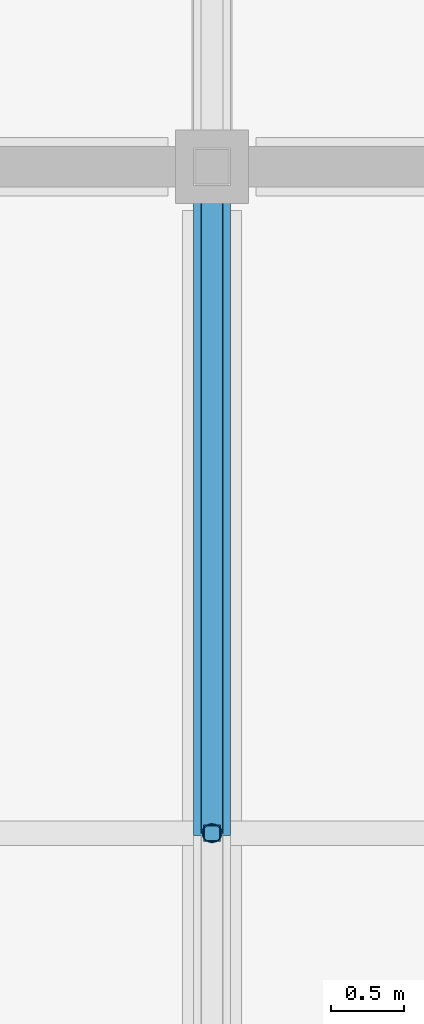
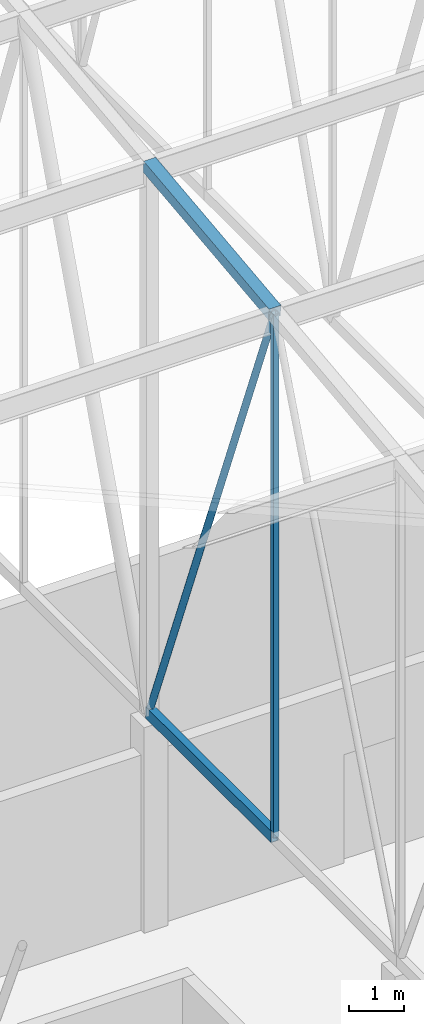
# One storey, part 58 of 500: 4 members.
"""IFC4 building model written with IfcOpenShell, lengths in metres."""

from ifc_helpers import new_model, si_unit, direction, frame, origin, origin_2d, place, context, subcontext, project, spatial, hollow_rectangle, hollow_circle, extrude, material, material_profile, profile_set, type_object, element, save


model = new_model("IFC4")

# Units and contexts
model_context = context("Model", 3, precision=1e-05, world=origin(), true_north=direction((0.0, 1.0)))
body_context = subcontext(model_context, "Body", "Model", "MODEL_VIEW")
ifc_project = project(units=[si_unit("LENGTHUNIT", "METRE"), si_unit("AREAUNIT", "SQUARE_METRE"), si_unit("VOLUMEUNIT", "CUBIC_METRE"), si_unit("PLANEANGLEUNIT", "RADIAN"), si_unit("MASSUNIT", "GRAM", prefix="KILO")], contexts=[model_context])

# Site, building, storey
site_placement = place(None, origin())
site = spatial("IfcSite", under=ifc_project, at=site_placement, CompositionType="ELEMENT")
building_placement = place(site_placement, origin())
building = spatial("IfcBuilding", under=site, at=building_placement, Name="Shirokan Park Arena", CompositionType="ELEMENT")
storey_placement = place(building_placement, frame((0.0, 0.0, 29.1201171875)))
storey = spatial("IfcBuildingStorey", under=building, at=storey_placement, Name="L06", CompositionType="ELEMENT", Elevation=29.1201171875)

# Members
ifc_material = material(Name="Steel ASTM A500 Grade C", Category="steel")
ifc_material_profile_1 = material_profile(ifc_material, hollow_rectangle(XDim=0.152099609375, YDim=0.25390625, WallThickness=0.009521484375, at=origin_2d()), Name="HSS254X152.4X9.5")
ifc_profile_set_1 = profile_set([ifc_material_profile_1], Name="Steel ASTM A500 Grade C")
member_type_1 = type_object("IfcMemberType", Name="Bottom chord HSS254X152.4X9.5", PredefinedType="CHORD", material=ifc_profile_set_1)
member_1_placement = place(storey_placement, frame((18.199951171875, 31.85009765625, 4.677001953125), z_axis=(0.0, 1.0, 0.0), x_axis=(-1.0, 0.0, 0.0)))
element("IfcMember", 1, at=member_1_placement, inside=storey, type_object=member_type_1, Name="Truss T03 bottom chord 10", PredefinedType="CHORD", context=body_context, shape_type="SweptSolid", body=[
    extrude(hollow_rectangle(XDim=0.152099609375, YDim=0.25390625, WallThickness=0.009521484375, at=origin_2d()), origin(), (0.0, 0.0, 1.0), 4.5498046875),
])
ifc_material_profile_2 = material_profile(ifc_material, hollow_rectangle(XDim=0.25390625, YDim=0.25390625, WallThickness=0.009521484375, at=origin_2d()), Name="HSS254X254X9.5")
ifc_profile_set_2 = profile_set([ifc_material_profile_2], Name="Steel ASTM A500 Grade C")
member_type_2 = type_object("IfcMemberType", Name="Top chord HSS254X254X9.5", PredefinedType="CHORD", material=ifc_profile_set_2)
member_2_placement = place(storey_placement, frame((18.199951171875, 31.85009765625, 16.262939453125), z_axis=(0.0, 0.993531641592, 0.11355561261), x_axis=(-1.0, 0.0, 0.0)))
element("IfcMember", 2, at=member_2_placement, inside=storey, type_object=member_type_2, Name="Truss T03 top chord 10", PredefinedType="CHORD", context=body_context, shape_type="SweptSolid", body=[
    extrude(hollow_rectangle(XDim=0.25390625, YDim=0.25390625, WallThickness=0.009521484375, at=origin_2d()), origin(), (0.0, 0.0, 1.0), 4.579345703125),
])
ifc_material_profile_3 = material_profile(ifc_material, hollow_circle(Radius=0.070556640625, WallThickness=0.006591796875, at=origin_2d()), Name="HSS141.3X6.6")
ifc_profile_set_3 = profile_set([ifc_material_profile_3], Name="Steel ASTM A500 Grade C")
member_type_3 = type_object("IfcMemberType", Name="Truss diagonal HSS141.3X6.6", PredefinedType="BRACE", material=ifc_profile_set_3)
member_3_placement = place(storey_placement, frame((18.199951171875, 31.85009765625, 16.262939453125), z_axis=(0.0, 0.365526146051, -0.930801072493), x_axis=(-1.0, 0.0, 0.0)))
element("IfcMember", 3, at=member_3_placement, inside=storey, type_object=member_type_3, Name="Truss T03 diagonal 10", PredefinedType="BRACE", context=body_context, shape_type="SweptSolid", body=[
    extrude(hollow_circle(Radius=0.070556640625, WallThickness=0.006591796875, at=origin_2d()), origin(), (0.0, 0.0, 1.0), 12.447265625),
])
ifc_material_profile_4 = material_profile(ifc_material, hollow_rectangle(XDim=0.114013671875, YDim=0.114013671875, WallThickness=0.00634765625, at=origin_2d()), Name="HSS114.3X114.3X6.4")
ifc_profile_set_4 = profile_set([ifc_material_profile_4], Name="Steel ASTM A500 Grade C")
member_type_4 = type_object("IfcMemberType", Name="Truss post HSS114.3X114.3X6.4", PredefinedType="POST", material=ifc_profile_set_4)
member_4_placement = place(storey_placement, frame((18.199951171875, 31.85009765625, 4.677001953125), z_axis=(0.0, 0.0, 1.0), x_axis=(1.0, 0.0, 0.0)))
element("IfcMember", 4, at=member_4_placement, inside=storey, type_object=member_type_4, Name="Truss T03 post 10", PredefinedType="POST", context=body_context, shape_type="SweptSolid", body=[
    extrude(hollow_rectangle(XDim=0.114013671875, YDim=0.114013671875, WallThickness=0.00634765625, at=origin_2d()), origin(), (0.0, 0.0, 1.0), 11.5859375),
])

save(model, "model.ifc")
